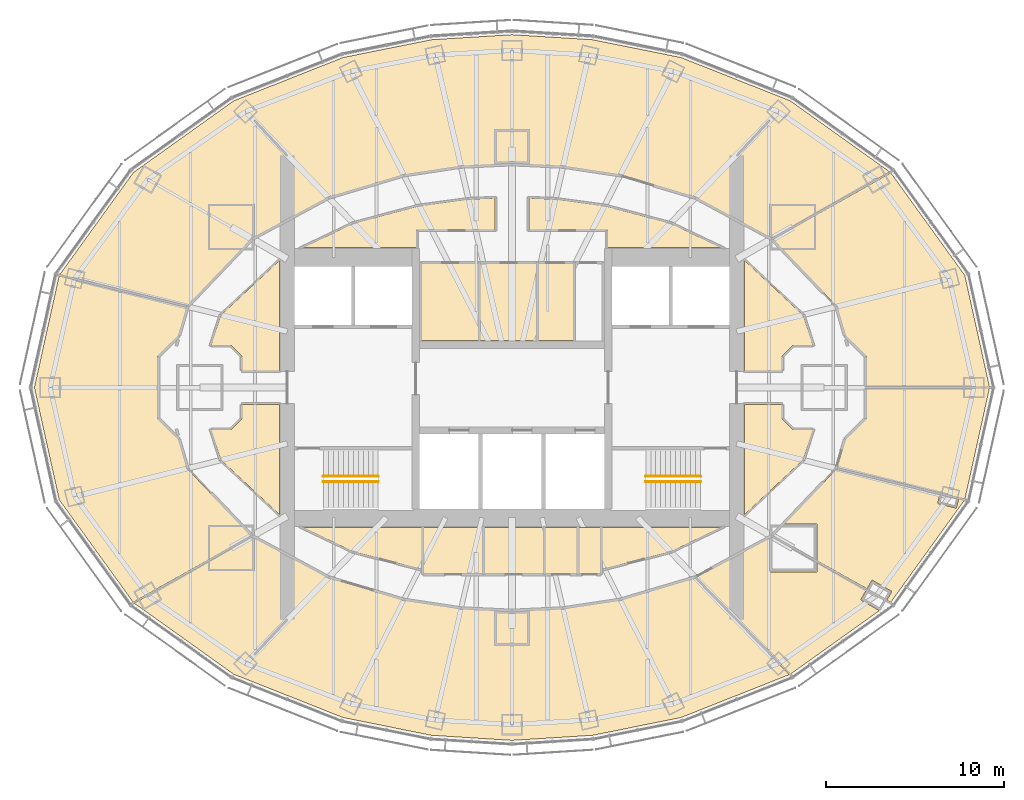
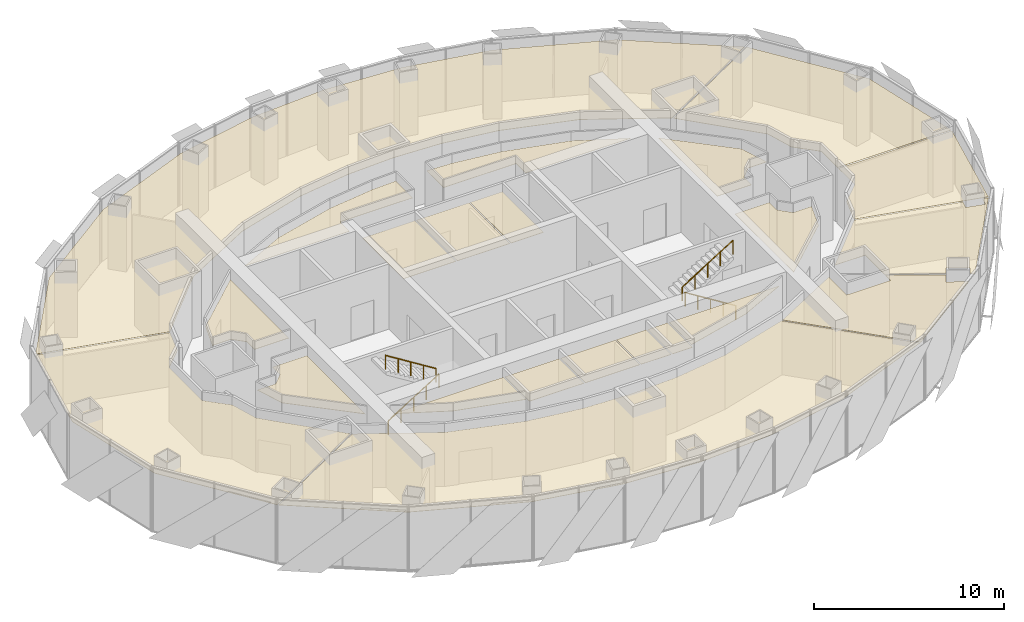
# One storey, part 17 of 17: 22 coverings, 4 railings.
"""IFC4 building model written with IfcOpenShell, lengths in metres."""

from ifc_helpers import new_model, si_unit, direction, frame, origin, origin_2d, place, context, subcontext, project, spatial, polyline, circle, outline, extrude, material, layer, layer_set, type_object, element, save


model = new_model("IFC4")

# Units and contexts
model_context = context("Model", 3, precision=1e-05, world=origin(), true_north=direction((0.0, 1.0)))
body_context = subcontext(model_context, "Body", "Model", "MODEL_VIEW")
ifc_project = project(units=[si_unit("LENGTHUNIT", "METRE"), si_unit("AREAUNIT", "SQUARE_METRE"), si_unit("VOLUMEUNIT", "CUBIC_METRE"), si_unit("PLANEANGLEUNIT", "RADIAN"), si_unit("MASSUNIT", "GRAM", prefix="KILO")], contexts=[model_context])

# Site, building, storey
site_placement = place(None, origin())
site = spatial("IfcSite", under=ifc_project, at=site_placement, CompositionType="ELEMENT")
building_placement = place(site_placement, origin())
building = spatial("IfcBuilding", under=site, at=building_placement, Name="Lantaw Convention Tower", CompositionType="ELEMENT")
storey_placement = place(building_placement, frame((0.0, 0.0, 207.39990234375)))
storey = spatial("IfcBuildingStorey", under=building, at=storey_placement, Name="L48", CompositionType="ELEMENT", Elevation=207.39990234375)

# Railings
ifc_material_1 = material(Name="Stainless steel", Category="steel")
railing_type = type_object("IfcRailingType", Name="Stair handrail", PredefinedType="HANDRAIL", material=ifc_material_1)
railing_1_placement = place(storey_placement, frame((-10.580078125, -5.280029296875, 0.175048828125)))
element("IfcRailing", 1, at=railing_1_placement, inside=storey, type_object=railing_type, Name="Stair handrail S1", PredefinedType="HANDRAIL", context=body_context, shape_type="SweptSolid", body=[
    extrude(circle(Radius=0.02392578125, at=origin_2d()), frame((0.0, 0.0, 0.8759765625), z_axis=(0.847998304005, 0.0, 0.529998940003), x_axis=(0.0, 1.0, 0.0)), (0.0, 0.0, 1.0), 3.632080078125),
    extrude(circle(Radius=0.02099609375, at=origin_2d()), origin(), (0.0, 0.0, 1.0), 0.851806640625),
    extrude(circle(Radius=0.02099609375, at=origin_2d()), frame((0.77001953125, 0.0, 0.481201171875)), (0.0, 0.0, 1.0), 0.851806640625),
    extrude(circle(Radius=0.02099609375, at=origin_2d()), frame((1.5400390625, 0.0, 0.96240234375)), (0.0, 0.0, 1.0), 0.851806640625),
    extrude(circle(Radius=0.02099609375, at=origin_2d()), frame((2.31005859375, 0.0, 1.44384765625)), (0.0, 0.0, 1.0), 0.851806640625),
    extrude(circle(Radius=0.02099609375, at=origin_2d()), frame((3.080078125, 0.0, 1.925048828125)), (0.0, 0.0, 1.0), 0.851806640625),
])
for number, where, name in (
    (2, (-7.5, -4.97998046875, 2.275146484375), "Stair handrail S1"),
    (3, (10.580078125, -5.280029296875, 0.175048828125), "Stair handrail S2"),
):
    element("IfcRailing", number, at=place(storey_placement, frame(where)), inside=storey, type_object=railing_type, Name=name, PredefinedType="HANDRAIL", context=body_context, shape_type="SweptSolid", body=[
        extrude(circle(Radius=0.02392578125, at=origin_2d()), frame((0.0, 0.0, 0.8759765625), z_axis=(-0.847998304005, 0.0, 0.529998940003), x_axis=(0.0, -1.0, 0.0)), (0.0, 0.0, 1.0), 3.632080078125),
        extrude(circle(Radius=0.02099609375, at=origin_2d()), origin(), (0.0, 0.0, 1.0), 0.851806640625),
        extrude(circle(Radius=0.02099609375, at=origin_2d()), frame((-0.77001953125, 0.0, 0.481201171875)), (0.0, 0.0, 1.0), 0.851806640625),
        extrude(circle(Radius=0.02099609375, at=origin_2d()), frame((-1.5400390625, 0.0, 0.96240234375)), (0.0, 0.0, 1.0), 0.851806640625),
        extrude(circle(Radius=0.02099609375, at=origin_2d()), frame((-2.31005859375, 0.0, 1.44384765625)), (0.0, 0.0, 1.0), 0.851806640625),
        extrude(circle(Radius=0.02099609375, at=origin_2d()), frame((-3.080078125, 0.0, 1.925048828125)), (0.0, 0.0, 1.0), 0.851806640625),
    ])
railing_2_placement = place(storey_placement, frame((7.5, -4.97998046875, 2.275146484375)))
element("IfcRailing", 4, at=railing_2_placement, inside=storey, type_object=railing_type, Name="Stair handrail S2", PredefinedType="HANDRAIL", context=body_context, shape_type="SweptSolid", body=[
    extrude(circle(Radius=0.02392578125, at=origin_2d()), frame((0.0, 0.0, 0.8759765625), z_axis=(0.847998304005, 0.0, 0.529998940003), x_axis=(0.0, 1.0, 0.0)), (0.0, 0.0, 1.0), 3.632080078125),
    extrude(circle(Radius=0.02099609375, at=origin_2d()), origin(), (0.0, 0.0, 1.0), 0.851806640625),
    extrude(circle(Radius=0.02099609375, at=origin_2d()), frame((0.77001953125, 0.0, 0.481201171875)), (0.0, 0.0, 1.0), 0.851806640625),
    extrude(circle(Radius=0.02099609375, at=origin_2d()), frame((1.5400390625, 0.0, 0.96240234375)), (0.0, 0.0, 1.0), 0.851806640625),
    extrude(circle(Radius=0.02099609375, at=origin_2d()), frame((2.31005859375, 0.0, 1.44384765625)), (0.0, 0.0, 1.0), 0.851806640625),
    extrude(circle(Radius=0.02099609375, at=origin_2d()), frame((3.080078125, 0.0, 1.925048828125)), (0.0, 0.0, 1.0), 0.851806640625),
])

# Coverings
ifc_material_2 = material(Name="Gypsum board on steel suspension grid", Category="steel")
ifc_layer = layer(ifc_material_2, 0.02001953125)
ifc_layer_set = layer_set([ifc_layer], Name="Suspended ceiling")
covering_type = type_object("IfcCoveringType", Name="Suspended ceiling", PredefinedType="CEILING", material=ifc_layer_set)
covering_1_placement = place(storey_placement, frame((0.0, 0.0, 3.4501953125)))
element("IfcCovering", 5, at=covering_1_placement, inside=storey, type_object=covering_type, Name="Male WC ceiling", PredefinedType="CEILING", context=body_context, shape_type="SweptSolid", body=[
    extrude(outline(polyline([(-5.080078125, 2.639892578125), (-1.88330078125, 2.639892578125), (-1.88330078125, 6.9599609375), (-5.080078125, 6.9599609375), (-5.080078125, 2.639892578125)])), origin(), (0.0, 0.0, 1.0), 0.02001953125),
])
covering_2_placement = place(storey_placement, frame((0.0, 0.0, 3.4501953125)))
element("IfcCovering", 6, at=covering_2_placement, inside=storey, type_object=covering_type, Name="Female WC ceiling", PredefinedType="CEILING", context=body_context, shape_type="SweptSolid", body=[
    extrude(outline(polyline([(-1.80322265625, 2.639892578125), (1.3935546875, 2.639892578125), (1.3935546875, 6.9599609375), (-1.80322265625, 6.9599609375), (-1.80322265625, 2.639892578125)])), origin(), (0.0, 0.0, 1.0), 0.02001953125),
])
covering_3_placement = place(storey_placement, frame((0.0, 0.0, 3.4501953125)))
element("IfcCovering", 7, at=covering_3_placement, inside=storey, type_object=covering_type, Name="Accessible WC ceiling", PredefinedType="CEILING", context=body_context, shape_type="SweptSolid", body=[
    extrude(outline(polyline([(1.4736328125, 2.639892578125), (3.441650390625, 2.639892578125), (3.441650390625, 6.9599609375), (1.4736328125, 6.9599609375), (1.4736328125, 2.639892578125)])), origin(), (0.0, 0.0, 1.0), 0.02001953125),
])
covering_4_placement = place(storey_placement, frame((0.0, 0.0, 3.4501953125)))
element("IfcCovering", 8, at=covering_4_placement, inside=storey, type_object=covering_type, Name="Male WC ceiling", PredefinedType="CEILING", context=body_context, shape_type="SweptSolid", body=[
    extrude(outline(polyline([(-4.9599609375, -10.44189453125), (-1.639892578125, -10.44189453125), (-1.639892578125, -7.840087890625), (-4.9599609375, -7.840087890625), (-4.9599609375, -10.44189453125)])), origin(), (0.0, 0.0, 1.0), 0.02001953125),
])
covering_5_placement = place(storey_placement, frame((0.0, 0.0, 3.4501953125)))
element("IfcCovering", 9, at=covering_5_placement, inside=storey, type_object=covering_type, Name="Female WC ceiling", PredefinedType="CEILING", context=body_context, shape_type="SweptSolid", body=[
    extrude(outline(polyline([(-1.56005859375, -10.44189453125), (1.760009765625, -10.44189453125), (1.760009765625, -7.840087890625), (-1.56005859375, -7.840087890625), (-1.56005859375, -10.44189453125)])), origin(), (0.0, 0.0, 1.0), 0.02001953125),
])
covering_6_placement = place(storey_placement, frame((0.0, 0.0, 3.4501953125)))
element("IfcCovering", 10, at=covering_6_placement, inside=storey, type_object=covering_type, Name="Accessible WC ceiling", PredefinedType="CEILING", context=body_context, shape_type="SweptSolid", body=[
    extrude(outline(polyline([(1.840087890625, -10.44189453125), (3.659912109375, -10.44189453125), (3.659912109375, -7.840087890625), (1.840087890625, -7.840087890625), (1.840087890625, -10.44189453125)])), origin(), (0.0, 0.0, 1.0), 0.02001953125),
])
covering_7_placement = place(storey_placement, frame((0.0, 0.0, 3.4501953125)))
element("IfcCovering", 11, at=covering_7_placement, inside=storey, type_object=covering_type, Name="Pantry ceiling", PredefinedType="CEILING", context=body_context, shape_type="SweptSolid", body=[
    extrude(outline(polyline([(3.739990234375, -10.44189453125), (4.9599609375, -10.44189453125), (4.9599609375, -7.840087890625), (3.739990234375, -7.840087890625), (3.739990234375, -10.44189453125)])), origin(), (0.0, 0.0, 1.0), 0.02001953125),
])
covering_8_placement = place(storey_placement, frame((0.0, 0.0, 3.4501953125)))
element("IfcCovering", 12, at=covering_8_placement, inside=storey, type_object=covering_type, Name="Meeting room ceiling", PredefinedType="CEILING", context=body_context, shape_type="SweptSolid", body=[
    extrude(outline(polyline([(-16.328125, -4.0576171875), (-13.0400390625, -7.1298828125), (-13.0400390625, -0.93994140625), (-15.135009765625, -0.93994140625), (-15.135009765625, -1.7412109375), (-15.7587890625, -2.364990234375), (-16.8828125, -2.364990234375), (-16.328125, -4.0576171875)])), origin(), (0.0, 0.0, 1.0), 0.02001953125),
])
covering_9_placement = place(storey_placement, frame((0.0, 0.0, 3.4501953125)))
element("IfcCovering", 13, at=covering_9_placement, inside=storey, type_object=covering_type, Name="Project room ceiling", PredefinedType="CEILING", context=body_context, shape_type="SweptSolid", body=[
    extrude(outline(polyline([(-5.0400390625, -7.840087890625), (-11.749755859375, -7.840087890625), (-8.909912109375, -9.202880859375), (-5.0400390625, -10.20263671875), (-5.0400390625, -7.840087890625)])), origin(), (0.0, 0.0, 1.0), 0.02001953125),
])
covering_10_placement = place(storey_placement, frame((0.0, 0.0, 3.4501953125)))
element("IfcCovering", 14, at=covering_10_placement, inside=storey, type_object=covering_type, Name="Tenant storage room ceiling", PredefinedType="CEILING", context=body_context, shape_type="SweptSolid", body=[
    extrude(outline(polyline([(5.0400390625, -7.840087890625), (5.0400390625, -10.20263671875), (8.909912109375, -9.202880859375), (11.749755859375, -7.840087890625), (5.0400390625, -7.840087890625)])), origin(), (0.0, 0.0, 1.0), 0.02001953125),
])
covering_11_placement = place(storey_placement, frame((0.0, 0.0, 3.4501953125)))
element("IfcCovering", 15, at=covering_11_placement, inside=storey, type_object=covering_type, Name="Meeting room ceiling", PredefinedType="CEILING", context=body_context, shape_type="SweptSolid", body=[
    extrude(outline(polyline([(15.135009765625, -0.93994140625), (13.0400390625, -0.93994140625), (13.0400390625, -7.1298828125), (16.328125, -4.0576171875), (16.8828125, -2.364990234375), (15.7587890625, -2.364990234375), (15.135009765625, -1.7412109375), (15.135009765625, -0.93994140625)])), origin(), (0.0, 0.0, 1.0), 0.02001953125),
])
covering_12_placement = place(storey_placement, frame((0.0, 0.0, 3.4501953125)))
element("IfcCovering", 16, at=covering_12_placement, inside=storey, type_object=covering_type, Name="Copy and print room ceiling", PredefinedType="CEILING", context=body_context, shape_type="SweptSolid", body=[
    extrude(outline(polyline([(16.328125, 4.0576171875), (13.0400390625, 7.1298828125), (13.0400390625, 0.93994140625), (15.135009765625, 0.93994140625), (15.135009765625, 1.7412109375), (15.7587890625, 2.364990234375), (16.8828125, 2.364990234375), (16.328125, 4.0576171875)])), origin(), (0.0, 0.0, 1.0), 0.02001953125),
])
covering_13_placement = place(storey_placement, frame((0.0, 0.0, 3.4501953125)))
element("IfcCovering", 17, at=covering_13_placement, inside=storey, type_object=covering_type, Name="Project room ceiling", PredefinedType="CEILING", context=body_context, shape_type="SweptSolid", body=[
    extrude(outline(polyline([(5.360107421875, 7.840087890625), (11.749755859375, 7.840087890625), (8.90966796875, 9.202880859375), (5.20263671875, 10.1865234375), (2.443115234375, 10.557373046875), (0.93994140625, 10.62060546875), (0.93994140625, 8.840087890625), (5.360107421875, 8.840087890625), (5.360107421875, 7.840087890625)])), origin(), (0.0, 0.0, 1.0), 0.02001953125),
])
covering_14_placement = place(storey_placement, frame((0.0, 0.0, 3.4501953125)))
element("IfcCovering", 18, at=covering_14_placement, inside=storey, type_object=covering_type, Name="Meeting room ceiling", PredefinedType="CEILING", context=body_context, shape_type="SweptSolid", body=[
    extrude(outline(polyline([(-11.749755859375, 7.840087890625), (-5.360107421875, 7.840087890625), (-5.360107421875, 8.840087890625), (-0.93994140625, 8.840087890625), (-0.93994140625, 10.62060546875), (-2.443115234375, 10.557373046875), (-5.20263671875, 10.1865234375), (-8.90966796875, 9.202880859375), (-11.749755859375, 7.840087890625)])), origin(), (0.0, 0.0, 1.0), 0.02001953125),
])
covering_15_placement = place(storey_placement, frame((0.0, 0.0, 3.4501953125)))
element("IfcCovering", 19, at=covering_15_placement, inside=storey, type_object=covering_type, Name="Comms room ceiling", PredefinedType="CEILING", context=body_context, shape_type="SweptSolid", body=[
    extrude(outline(polyline([(-15.135009765625, 0.93994140625), (-13.0400390625, 0.93994140625), (-13.0400390625, 7.1298828125), (-16.328125, 4.0576171875), (-16.8828125, 2.364990234375), (-15.7587890625, 2.364990234375), (-15.135009765625, 1.7412109375), (-15.135009765625, 0.93994140625)])), origin(), (0.0, 0.0, 1.0), 0.02001953125),
])
covering_16_placement = place(storey_placement, frame((0.0, 0.0, 3.4501953125)))
element("IfcCovering", 20, at=covering_16_placement, inside=storey, type_object=covering_type, Name="Reception ceiling", PredefinedType="CEILING", context=body_context, shape_type="SweptSolid", body=[
    extrude(outline(polyline([(14.62060546875, 8.30810546875), (18.20947265625, 4.5517578125), (18.692138671875, 2.90283203125), (19.22900390625, 2.364990234375), (19.2412109375, 2.364990234375), (19.864990234375, 1.7412109375), (19.864990234375, 0.0400390625), (26.77099609375, 0.0400390625), (25.388916015625, 6.290283203125), (21.241455078125, 12.0380859375), (14.62060546875, 8.30810546875)])), origin(), (0.0, 0.0, 1.0), 0.02001953125),
])
covering_17_placement = place(storey_placement, frame((0.0, 0.0, 3.4501953125)))
element("IfcCovering", 21, at=covering_17_placement, inside=storey, type_object=covering_type, Name="Open office ceiling", PredefinedType="CEILING", context=body_context, shape_type="SweptSolid", body=[
    extrude(outline(polyline([(14.5556640625, 8.363525390625), (21.1787109375, 12.094482421875), (15.60498046875, 16.076416015625), (9.472900390625, 18.504638671875), (4.523193359375, 19.500244140625), (0.0, 19.78466796875), (-4.523193359375, 19.500244140625), (-9.472900390625, 18.504638671875), (-15.60498046875, 16.076416015625), (-21.224365234375, 12.061767578125), (-25.359130859375, 6.331787109375), (-18.186767578125, 4.57568359375), (-14.58056640625, 8.35009765625), (-10.279052734375, 10.66552734375), (-6.06298828125, 11.92138671875), (-2.858642578125, 12.4052734375), (0.0, 12.5400390625), (2.858642578125, 12.4052734375), (6.06298828125, 11.92138671875), (10.279052734375, 10.66552734375), (14.5556640625, 8.363525390625)])), origin(), (0.0, 0.0, 1.0), 0.02001953125),
])
covering_18_placement = place(storey_placement, frame((0.0, 0.0, 3.4501953125)))
element("IfcCovering", 22, at=covering_18_placement, inside=storey, type_object=covering_type, Name="Boardroom ceiling", PredefinedType="CEILING", context=body_context, shape_type="SweptSolid", body=[
    extrude(outline(polyline([(-19.2412109375, 2.364990234375), (-19.22900390625, 2.364990234375), (-18.692138671875, 2.90283203125), (-18.223876953125, 4.502197265625), (-25.39599609375, 6.258544921875), (-26.77978515625, 0.0), (-25.388916015625, -6.290283203125), (-21.241455078125, -12.0380859375), (-14.62060546875, -8.30810546875), (-18.20947265625, -4.5517578125), (-18.692138671875, -2.90283203125), (-19.22900390625, -2.364990234375), (-19.2412109375, -2.364990234375), (-19.864990234375, -1.7412109375), (-19.864990234375, 1.7412109375), (-19.2412109375, 2.364990234375)])), origin(), (0.0, 0.0, 1.0), 0.02001953125),
])
covering_19_placement = place(storey_placement, frame((0.0, 0.0, 3.4501953125)))
element("IfcCovering", 23, at=covering_19_placement, inside=storey, type_object=covering_type, Name="Open office ceiling", PredefinedType="CEILING", context=body_context, shape_type="SweptSolid", body=[
    extrude(outline(polyline([(-14.5556640625, -8.363525390625), (-21.1787109375, -12.094482421875), (-15.60498046875, -16.076416015625), (-9.472900390625, -18.504638671875), (-4.523193359375, -19.500244140625), (0.0, -19.78466796875), (4.523193359375, -19.500244140625), (9.472900390625, -18.504638671875), (15.553466796875, -16.0966796875), (10.251953125, -10.673583984375), (6.06298828125, -11.92138671875), (2.858642578125, -12.4052734375), (0.0, -12.5400390625), (-2.858642578125, -12.4052734375), (-6.06298828125, -11.92138671875), (-10.279052734375, -10.66552734375), (-14.5556640625, -8.363525390625)])), origin(), (0.0, 0.0, 1.0), 0.02001953125),
])
covering_20_placement = place(storey_placement, frame((0.0, 0.0, 3.4501953125)))
element("IfcCovering", 24, at=covering_20_placement, inside=storey, type_object=covering_type, Name="Pantry ceiling", PredefinedType="CEILING", context=body_context, shape_type="SweptSolid", body=[
    extrude(outline(polyline([(14.409912109375, -8.44189453125), (10.329345703125, -10.638427734375), (15.62890625, -16.059326171875), (20.599365234375, -12.50830078125), (19.5498046875, -11.908447265625), (19.8662109375, -11.35498046875), (17.090087890625, -9.791015625), (17.090087890625, -10.340087890625), (14.409912109375, -10.340087890625), (14.409912109375, -8.44189453125)])), origin(), (0.0, 0.0, 1.0), 0.02001953125),
])
covering_21_placement = place(storey_placement, frame((0.0, 0.0, 3.4501953125)))
element("IfcCovering", 25, at=covering_21_placement, inside=storey, type_object=covering_type, Name="Meeting room ceiling", PredefinedType="CEILING", context=body_context, shape_type="SweptSolid", body=[
    extrude(outline(polyline([(18.186767578125, -4.57568359375), (15.23974609375, -7.659912109375), (17.090087890625, -7.659912109375), (17.090087890625, -9.69921875), (19.90576171875, -11.28564453125), (20.184814453125, -10.797119140625), (21.296142578125, -11.43212890625), (21.02099609375, -11.913818359375), (21.241455078125, -12.0380859375), (25.359130859375, -6.331787109375), (25.04345703125, -6.25439453125), (24.915283203125, -6.7685546875), (23.867431640625, -6.50732421875), (23.994384765625, -5.99755859375), (18.186767578125, -4.57568359375)])), origin(), (0.0, 0.0, 1.0), 0.02001953125),
])
covering_22_placement = place(storey_placement, frame((0.0, 0.0, 3.4501953125)))
element("IfcCovering", 26, at=covering_22_placement, inside=storey, type_object=covering_type, Name="Meeting room ceiling", PredefinedType="CEILING", context=body_context, shape_type="SweptSolid", body=[
    extrude(outline(polyline([(19.22900390625, -2.364990234375), (18.692138671875, -2.90283203125), (18.223876953125, -4.502197265625), (25.39599609375, -6.258544921875), (26.77099609375, -0.0400390625), (19.864990234375, -0.0400390625), (19.864990234375, -1.7412109375), (19.2412109375, -2.364990234375), (19.22900390625, -2.364990234375)])), origin(), (0.0, 0.0, 1.0), 0.02001953125),
])

save(model, "model.ifc")
